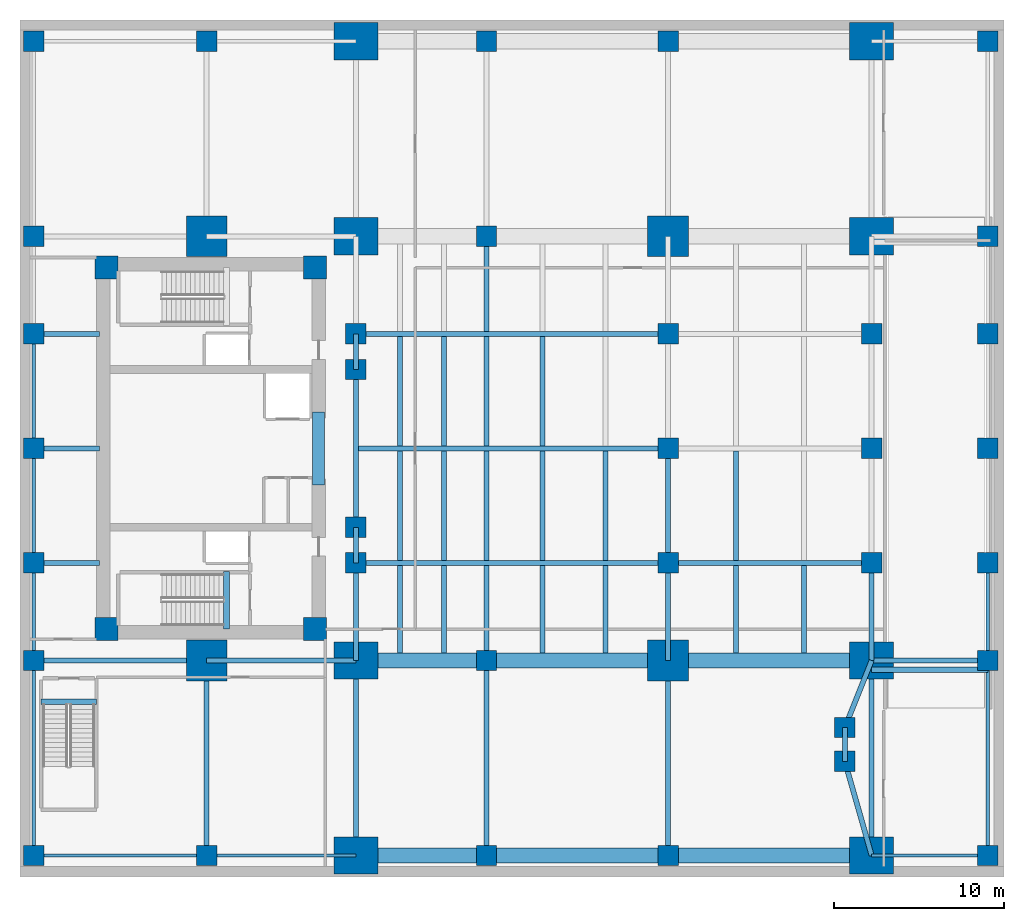
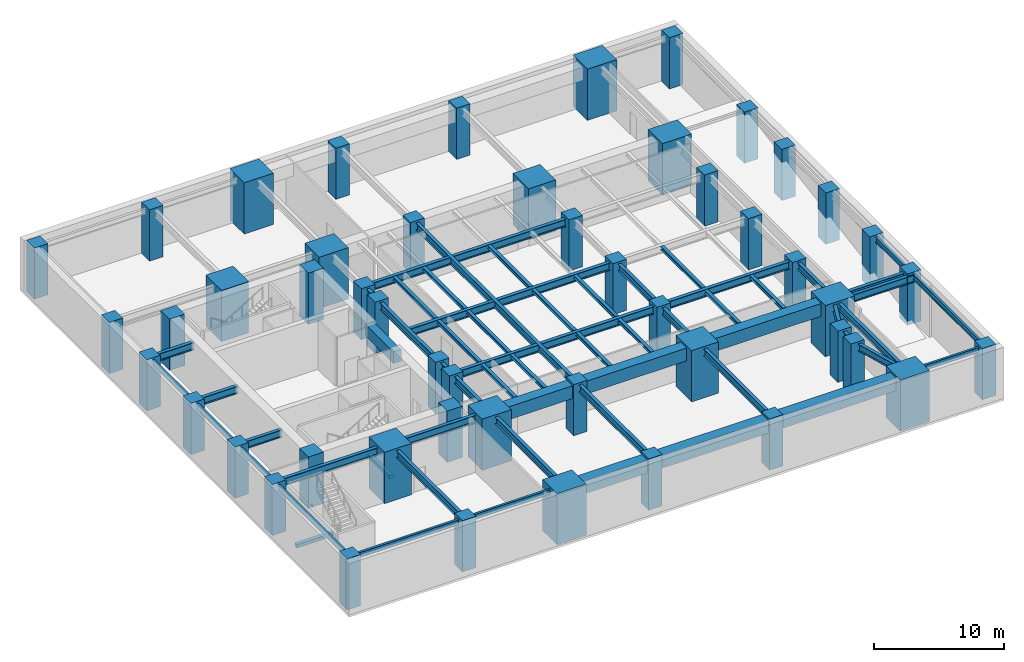
# One storey, part 1 of 5: 59 beams, 50 columns.
"""IFC4 building model written with IfcOpenShell, lengths in metres."""

from ifc_helpers import new_model, si_unit, direction, frame, origin, origin_2d, place, context, subcontext, project, spatial, rectangle, i_section, extrude, material, material_profile, profile_set, type_object, element, save


model = new_model("IFC4")

# Units and contexts
model_context = context("Model", 3, precision=1e-05, world=origin(), true_north=direction((0.0, 1.0)))
body_context = subcontext(model_context, "Body", "Model", "MODEL_VIEW")
ifc_project = project(units=[si_unit("LENGTHUNIT", "METRE"), si_unit("AREAUNIT", "SQUARE_METRE"), si_unit("VOLUMEUNIT", "CUBIC_METRE"), si_unit("PLANEANGLEUNIT", "RADIAN"), si_unit("MASSUNIT", "GRAM", prefix="KILO")], contexts=[model_context])

# Site, building, storey
site_placement = place(None, origin())
site = spatial("IfcSite", under=ifc_project, at=site_placement, CompositionType="ELEMENT")
building_placement = place(site_placement, origin())
building = spatial("IfcBuilding", under=site, at=building_placement, Name="Kinhvarn Gate Tower", CompositionType="ELEMENT")
storey_placement = place(building_placement, frame((0.0, 0.0, -4.800048828125)))
storey = spatial("IfcBuildingStorey", under=building, at=storey_placement, Name="B01", CompositionType="ELEMENT", Elevation=-4.800048828125)

# Columns
ifc_material_1 = material(Name="Concrete C70/85", Category="concrete")
ifc_material_profile_1 = material_profile(ifc_material_1, rectangle(XDim=2.60009765625, YDim=2.199951171875, at=origin_2d()), Name="RC 2600x2200")
ifc_profile_set_1 = profile_set([ifc_material_profile_1], Name="Concrete C70/85")
column_type_1 = type_object("IfcColumnType", Name="COL-AP-2600", PredefinedType="COLUMN", material=ifc_profile_set_1)
for number, where, z_axis, x_axis, name in (
    (1, (19.800048828125, 1.25, 0.0), (0.0, 0.0, 1.0), (1.0, 0.0, 0.0), "Column APW-1-B01 (AP-01)"),
    (2, (50.199951171875, 1.25, 0.0), (0.0, 0.0, 1.0), (1.0, 0.0, 0.0), "Column APE-1-B01 (AP-01)"),
    (3, (19.800048828125, 12.75, 0.0), (0.0, 0.0, 1.0), (1.0, 0.0, 0.0), "Column APW-2-B01 (AP-01)"),
    (4, (50.199951171875, 12.75, 0.0), (0.0, 0.0, 1.0), (1.0, 0.0, 0.0), "Column APE-2-B01 (AP-01)"),
    (5, (19.800048828125, 37.75, 0.0), (0.0, 0.0, 1.0), (1.0, 0.0, 0.0), "Column APW-3-B01 (AP-01)"),
    (6, (50.199951171875, 37.75, 0.0), (0.0, 0.0, 1.0), (1.0, 0.0, 0.0), "Column APE-3-B01 (AP-01)"),
    (7, (19.800048828125, 49.25, 0.0), (0.0, 0.0, 1.0), (1.0, 0.0, 0.0), "Column APW-4-B01 (AP-01)"),
    (8, (50.199951171875, 49.25, 0.0), (0.0, 0.0, 1.0), (1.0, 0.0, 0.0), "Column APE-4-B01 (AP-01)"),
):
    element("IfcColumn", number, at=place(storey_placement, frame(where, z_axis=z_axis, x_axis=x_axis)), inside=storey, type_object=column_type_1, Name=name, PredefinedType="COLUMN", context=body_context, shape_type="SweptSolid", body=[
        extrude(rectangle(XDim=2.60009765625, YDim=2.199951171875, at=origin_2d()), origin(), (0.0, 0.0, 1.0), 4.800048828125),
    ])
ifc_material_profile_2 = material_profile(ifc_material_1, rectangle(XDim=2.39990234375, YDim=2.39990234375, at=origin_2d()), Name="RC 2400x2400")
ifc_profile_set_2 = profile_set([ifc_material_profile_2], Name="Concrete C70/85")
column_type_2 = type_object("IfcColumnType", Name="COL-MC-2400", PredefinedType="COLUMN", material=ifc_profile_set_2)
for number, where, z_axis, x_axis, name in (
    (9, (11.0, 12.75, 0.0), (0.0, 0.0, 1.0), (1.0, 0.0, 0.0), "Column MC1-B01 (MC-24)"),
    (10, (11.0, 37.75, 0.0), (0.0, 0.0, 1.0), (1.0, 0.0, 0.0), "Column MC4-B01 (MC-24)"),
    (11, (38.199951171875, 12.75, 0.0), (0.0, 0.0, 1.0), (1.0, 0.0, 0.0), "Column MC2-B01 (MC-24)"),
    (12, (38.199951171875, 37.75, 0.0), (0.0, 0.0, 1.0), (1.0, 0.0, 0.0), "Column MC3-B01 (MC-24)"),
):
    element("IfcColumn", number, at=place(storey_placement, frame(where, z_axis=z_axis, x_axis=x_axis)), inside=storey, type_object=column_type_2, Name=name, PredefinedType="COLUMN", context=body_context, shape_type="SweptSolid", body=[
        extrude(rectangle(XDim=2.39990234375, YDim=2.39990234375, at=origin_2d()), origin(), (0.0, 0.0, 1.0), 4.800048828125),
    ])
ifc_material_2 = material(Name="Concrete C60/75", Category="concrete")
ifc_material_profile_3 = material_profile(ifc_material_2, rectangle(XDim=1.199951171875, YDim=1.199951171875, at=origin_2d()), Name="RC 1200x1200")
ifc_profile_set_3 = profile_set([ifc_material_profile_3], Name="Concrete C60/75")
column_type_3 = type_object("IfcColumnType", Name="COL-RC-1200", PredefinedType="COLUMN", material=ifc_profile_set_3)
for number, where, z_axis, x_axis, name in (
    (13, (27.5, 12.75, 0.0), (0.0, 0.0, 1.0), (1.0, 0.0, 0.0), "Column SP27-S-B01 (C-120)"),
    (14, (27.5, 37.75, 0.0), (0.0, 0.0, 1.0), (1.0, 0.0, 0.0), "Column SP27-N-B01 (C-120)"),
    (15, (38.199951171875, 18.5, 0.0), (0.0, 0.0, 1.0), (1.0, 0.0, 0.0), "Column SP38-E1-B01 (C-120)"),
    (16, (38.199951171875, 25.25, 0.0), (0.0, 0.0, 1.0), (1.0, 0.0, 0.0), "Column SP38-E2-B01 (C-120)"),
    (17, (38.199951171875, 32.0, 0.0), (0.0, 0.0, 1.0), (1.0, 0.0, 0.0), "Column SP38-E3-B01 (C-120)"),
    (18, (19.800048828125, 18.5, 0.0), (0.0, 0.0, 1.0), (1.0, 0.0, 0.0), "Column APW-M1-B01 (C-120)"),
    (19, (19.800048828125, 20.60009765625, 0.0), (0.0, 0.0, 1.0), (1.0, 0.0, 0.0), "Column APW-M2-B01 (C-120)"),
    (20, (19.800048828125, 29.89990234375, 0.0), (0.0, 0.0, 1.0), (1.0, 0.0, 0.0), "Column APW-M3-B01 (C-120)"),
    (21, (19.800048828125, 32.0, 0.0), (0.0, 0.0, 1.0), (1.0, 0.0, 0.0), "Column APW-M4-B01 (C-120)"),
    (22, (50.199951171875, 18.5, 0.0), (0.0, 0.0, 1.0), (1.0, 0.0, 0.0), "Column APE-M1-B01 (C-120)"),
    (23, (50.199951171875, 25.25, 0.0), (0.0, 0.0, 1.0), (1.0, 0.0, 0.0), "Column APE-M2-B01 (C-120)"),
    (24, (50.199951171875, 32.0, 0.0), (0.0, 0.0, 1.0), (1.0, 0.0, 0.0), "Column APE-M3-B01 (C-120)"),
    (25, (0.800048828125, 1.25, 0.0), (0.0, 0.0, 1.0), (1.0, 0.0, 0.0), "Column PW-1-B01 (C-120)"),
    (26, (57.050048828125, 1.25, 0.0), (0.0, 0.0, 1.0), (1.0, 0.0, 0.0), "Column PE-1-B01 (C-120)"),
    (27, (0.800048828125, 12.75, 0.0), (0.0, 0.0, 1.0), (1.0, 0.0, 0.0), "Column PW-2-B01 (C-120)"),
    (28, (57.050048828125, 12.75, 0.0), (0.0, 0.0, 1.0), (1.0, 0.0, 0.0), "Column PE-2-B01 (C-120)"),
    (29, (0.800048828125, 18.5, 0.0), (0.0, 0.0, 1.0), (1.0, 0.0, 0.0), "Column PW-3-B01 (C-120)"),
    (30, (57.050048828125, 18.5, 0.0), (0.0, 0.0, 1.0), (1.0, 0.0, 0.0), "Column PE-3-B01 (C-120)"),
    (31, (0.800048828125, 25.25, 0.0), (0.0, 0.0, 1.0), (1.0, 0.0, 0.0), "Column PW-4-B01 (C-120)"),
    (32, (57.050048828125, 25.25, 0.0), (0.0, 0.0, 1.0), (1.0, 0.0, 0.0), "Column PE-4-B01 (C-120)"),
    (33, (0.800048828125, 32.0, 0.0), (0.0, 0.0, 1.0), (1.0, 0.0, 0.0), "Column PW-5-B01 (C-120)"),
    (34, (57.050048828125, 32.0, 0.0), (0.0, 0.0, 1.0), (1.0, 0.0, 0.0), "Column PE-5-B01 (C-120)"),
    (35, (0.800048828125, 37.75, 0.0), (0.0, 0.0, 1.0), (1.0, 0.0, 0.0), "Column PW-6-B01 (C-120)"),
    (36, (57.050048828125, 37.75, 0.0), (0.0, 0.0, 1.0), (1.0, 0.0, 0.0), "Column PE-6-B01 (C-120)"),
    (37, (0.800048828125, 49.25, 0.0), (0.0, 0.0, 1.0), (1.0, 0.0, 0.0), "Column PW-7-B01 (C-120)"),
    (38, (57.050048828125, 49.25, 0.0), (0.0, 0.0, 1.0), (1.0, 0.0, 0.0), "Column PE-7-B01 (C-120)"),
    (39, (11.0, 1.25, 0.0), (0.0, 0.0, 1.0), (1.0, 0.0, 0.0), "Column P11-S-B01 (C-120)"),
    (40, (11.0, 49.25, 0.0), (0.0, 0.0, 1.0), (1.0, 0.0, 0.0), "Column P11-N-B01 (C-120)"),
    (41, (48.6201171875, 6.800048828125, 0.0), (0.0, 0.0, 1.0), (1.0, 0.0, 0.0), "Column CS-SE1-B01 (C-120)"),
    (42, (48.6201171875, 8.800048828125, 0.0), (0.0, 0.0, 1.0), (1.0, 0.0, 0.0), "Column CS-SE1B-B01 (C-120)"),
    (43, (27.5, 1.25, 0.0), (0.0, 0.0, 1.0), (1.0, 0.0, 0.0), "Column B27-S-B01 (C-120)"),
    (44, (38.199951171875, 1.25, 0.0), (0.0, 0.0, 1.0), (1.0, 0.0, 0.0), "Column B38-S-B01 (C-120)"),
    (45, (27.5, 49.25, 0.0), (0.0, 0.0, 1.0), (1.0, 0.0, 0.0), "Column B27-N-B01 (C-120)"),
    (46, (38.199951171875, 49.25, 0.0), (0.0, 0.0, 1.0), (1.0, 0.0, 0.0), "Column B38-N-B01 (C-120)"),
):
    element("IfcColumn", number, at=place(storey_placement, frame(where, z_axis=z_axis, x_axis=x_axis)), inside=storey, type_object=column_type_3, Name=name, PredefinedType="COLUMN", context=body_context, shape_type="SweptSolid", body=[
        extrude(rectangle(XDim=1.199951171875, YDim=1.199951171875, at=origin_2d()), origin(), (0.0, 0.0, 1.0), 4.800048828125),
    ])
ifc_material_profile_4 = material_profile(ifc_material_1, rectangle(XDim=1.35009765625, YDim=1.35009765625, at=origin_2d()), Name="RC 1350x1350")
ifc_profile_set_4 = profile_set([ifc_material_profile_4], Name="Concrete C70/85")
column_type_4 = type_object("IfcColumnType", Name="PIL-RC-1350", PredefinedType="PILASTER", material=ifc_profile_set_4)
for number, where, z_axis, x_axis, name in (
    (47, (5.10009765625, 14.60009765625, 0.0), (0.0, 0.0, 1.0), (1.0, 0.0, 0.0), "Column CC-SW-B01 (CP-135)"),
    (48, (5.10009765625, 35.89990234375, 0.0), (0.0, 0.0, 1.0), (1.0, 0.0, 0.0), "Column CC-NW-B01 (CP-135)"),
    (49, (17.39990234375, 14.60009765625, 0.0), (0.0, 0.0, 1.0), (1.0, 0.0, 0.0), "Column CC-SE-B01 (CP-135)"),
    (50, (17.39990234375, 35.89990234375, 0.0), (0.0, 0.0, 1.0), (1.0, 0.0, 0.0), "Column CC-NE-B01 (CP-135)"),
):
    element("IfcColumn", number, at=place(storey_placement, frame(where, z_axis=z_axis, x_axis=x_axis)), inside=storey, type_object=column_type_4, Name=name, PredefinedType="PILASTER", context=body_context, shape_type="SweptSolid", body=[
        extrude(rectangle(XDim=1.35009765625, YDim=1.35009765625, at=origin_2d()), origin(), (0.0, 0.0, 1.0), 4.800048828125),
    ])

# Beams
ifc_material_profile_5 = material_profile(ifc_material_1, rectangle(XDim=0.699951171875, YDim=1.10009765625, at=origin_2d()), Name="RC 700x1100")
ifc_profile_set_5 = profile_set([ifc_material_profile_5], Name="Concrete C70/85")
beam_type_1 = type_object("IfcBeamType", Name="BM-CB-1100", PredefinedType="LINTEL", material=ifc_profile_set_5)
beam_1_placement = place(storey_placement, frame((17.60009765625, 23.10009765625, 4.050048828125), z_axis=(0.0, 1.0, 0.0), x_axis=(-1.0, 0.0, 0.0)))
element("IfcBeam", 51, at=beam_1_placement, inside=storey, type_object=beam_type_1, Name="Core East Portal Coupling Beam B01", PredefinedType="LINTEL", context=body_context, shape_type="SweptSolid", body=[
    extrude(rectangle(XDim=0.699951171875, YDim=1.10009765625, at=origin_2d()), origin(), (0.0, 0.0, 1.0), 4.2998046875),
])
ifc_material_3 = material(Name="Concrete C50/60", Category="concrete")
ifc_material_profile_6 = material_profile(ifc_material_3, rectangle(XDim=0.340087890625, YDim=0.320068359375, at=origin_2d()), Name="RC 340x320")
ifc_profile_set_6 = profile_set([ifc_material_profile_6], Name="Concrete C50/60")
beam_type_2 = type_object("IfcBeamType", Name="BM-LND-500", PredefinedType="BEAM", material=ifc_profile_set_6)
beam_2_placement = place(storey_placement, frame((12.1650390625, 14.60009765625, -0.159912109375), z_axis=(0.0, 1.0, 0.0), x_axis=(-1.0, 0.0, 0.0)))
element("IfcBeam", 52, at=beam_2_placement, inside=storey, type_object=beam_type_2, Name="Stair ST1 Landing Nosing Beam (B01)", PredefinedType="BEAM", context=body_context, shape_type="SweptSolid", body=[
    extrude(rectangle(XDim=0.340087890625, YDim=0.320068359375, at=origin_2d()), origin(), (0.0, 0.0, 1.0), 3.39990234375),
])
beam_3_placement = place(storey_placement, frame((1.25, 10.31494140625, -0.159912109375), z_axis=(1.0, 0.0, 0.0), x_axis=(0.0, 1.0, 0.0)))
element("IfcBeam", 53, at=beam_3_placement, inside=storey, type_object=beam_type_2, Name="Stair ST3 Landing Nosing Beam (B01)", PredefinedType="BEAM", context=body_context, shape_type="SweptSolid", body=[
    extrude(rectangle(XDim=0.340087890625, YDim=0.320068359375, at=origin_2d()), origin(), (0.0, 0.0, 1.0), 3.25),
])
ifc_material_profile_7 = material_profile(ifc_material_2, rectangle(XDim=0.89990234375, YDim=1.199951171875, at=origin_2d()), Name="RC 900x1200")
ifc_profile_set_7 = profile_set([ifc_material_profile_7], Name="Concrete C60/75")
beam_type_3 = type_object("IfcBeamType", Name="BM-TIE-1200", PredefinedType="BEAM", material=ifc_profile_set_7)
beam_4_placement = place(storey_placement, frame((20.199951171875, 1.25, 4.0), z_axis=(1.0, 0.0, 0.0), x_axis=(0.0, 1.0, 0.0)))
element("IfcBeam", 54, at=beam_4_placement, inside=storey, type_object=beam_type_3, Name="Arch Thrust Tie-Beam TB-01-1-1", PredefinedType="BEAM", context=body_context, shape_type="SweptSolid", body=[
    extrude(rectangle(XDim=0.89990234375, YDim=1.199951171875, at=origin_2d()), origin(), (0.0, 0.0, 1.0), 7.300048828125),
])
beam_5_placement = place(storey_placement, frame((27.5, 1.25, 4.0), z_axis=(1.0, 0.0, 0.0), x_axis=(0.0, 1.0, 0.0)))
element("IfcBeam", 55, at=beam_5_placement, inside=storey, type_object=beam_type_3, Name="Arch Thrust Tie-Beam TB-01-1-2", PredefinedType="BEAM", context=body_context, shape_type="SweptSolid", body=[
    extrude(rectangle(XDim=0.89990234375, YDim=1.199951171875, at=origin_2d()), origin(), (0.0, 0.0, 1.0), 10.699951171875),
])
beam_6_placement = place(storey_placement, frame((38.199951171875, 1.25, 4.0), z_axis=(1.0, 0.0, 0.0), x_axis=(0.0, 1.0, 0.0)))
element("IfcBeam", 56, at=beam_6_placement, inside=storey, type_object=beam_type_3, Name="Arch Thrust Tie-Beam TB-01-1-3", PredefinedType="BEAM", context=body_context, shape_type="SweptSolid", body=[
    extrude(rectangle(XDim=0.89990234375, YDim=1.199951171875, at=origin_2d()), origin(), (0.0, 0.0, 1.0), 11.60009765625),
])
beam_7_placement = place(storey_placement, frame((20.199951171875, 12.75, 4.0), z_axis=(1.0, 0.0, 0.0), x_axis=(0.0, 1.0, 0.0)))
element("IfcBeam", 57, at=beam_7_placement, inside=storey, type_object=beam_type_3, Name="Arch Thrust Tie-Beam TB-01-2-1", PredefinedType="BEAM", context=body_context, shape_type="SweptSolid", body=[
    extrude(rectangle(XDim=0.89990234375, YDim=1.199951171875, at=origin_2d()), origin(), (0.0, 0.0, 1.0), 7.300048828125),
])
beam_8_placement = place(storey_placement, frame((27.5, 12.75, 4.0), z_axis=(1.0, 0.0, 0.0), x_axis=(0.0, 1.0, 0.0)))
element("IfcBeam", 58, at=beam_8_placement, inside=storey, type_object=beam_type_3, Name="Arch Thrust Tie-Beam TB-01-2-2", PredefinedType="BEAM", context=body_context, shape_type="SweptSolid", body=[
    extrude(rectangle(XDim=0.89990234375, YDim=1.199951171875, at=origin_2d()), origin(), (0.0, 0.0, 1.0), 10.699951171875),
])
beam_9_placement = place(storey_placement, frame((38.199951171875, 12.75, 4.0), z_axis=(1.0, 0.0, 0.0), x_axis=(0.0, 1.0, 0.0)))
element("IfcBeam", 59, at=beam_9_placement, inside=storey, type_object=beam_type_3, Name="Arch Thrust Tie-Beam TB-01-2-3", PredefinedType="BEAM", context=body_context, shape_type="SweptSolid", body=[
    extrude(rectangle(XDim=0.89990234375, YDim=1.199951171875, at=origin_2d()), origin(), (0.0, 0.0, 1.0), 11.60009765625),
])
ifc_material_4 = material(Name="Steel S355", Category="steel")
ifc_material_profile_8 = material_profile(ifc_material_4, i_section(OverallWidth=0.300048828125, OverallDepth=0.300048828125, WebThickness=0.010986328125, FlangeThickness=0.01904296875, at=origin_2d()), Name="HEB 300")
ifc_profile_set_8 = profile_set([ifc_material_profile_8], Name="Steel S355")
beam_type_4 = type_object("IfcBeamType", Name="STL-HEB300", PredefinedType="BEAM", material=ifc_profile_set_8)
for number, where, z_axis, x_axis, name in (
    (60, (22.39990234375, 13.199951171875, 4.449951171875), (0.0, 1.0, 0.0), (-1.0, 0.0, 0.0), "Floor Beam PG-10 (B01 J224-12)"),
    (61, (25.0, 13.199951171875, 4.449951171875), (0.0, 1.0, 0.0), (-1.0, 0.0, 0.0), "Floor Beam PG-10 (B01 J250-12)"),
    (62, (30.800048828125, 13.199951171875, 4.449951171875), (0.0, 1.0, 0.0), (-1.0, 0.0, 0.0), "Floor Beam PG-10 (B01 J308-12)"),
    (63, (34.5, 13.199951171875, 4.449951171875), (0.0, 1.0, 0.0), (-1.0, 0.0, 0.0), "Floor Beam PG-10 (B01 J345-12)"),
    (64, (42.199951171875, 13.199951171875, 4.449951171875), (0.0, 1.0, 0.0), (-1.0, 0.0, 0.0), "Floor Beam PG-10 (B01 J422-12)"),
    (65, (46.199951171875, 13.199951171875, 4.449951171875), (0.0, 1.0, 0.0), (-1.0, 0.0, 0.0), "Floor Beam PG-10 (B01 J462-12)"),
):
    element("IfcBeam", number, at=place(storey_placement, frame(where, z_axis=z_axis, x_axis=x_axis)), inside=storey, type_object=beam_type_4, Name=name, PredefinedType="BEAM", context=body_context, shape_type="SweptSolid", body=[
        extrude(i_section(OverallWidth=0.300048828125, OverallDepth=0.300048828125, WebThickness=0.010986328125, FlangeThickness=0.01904296875, at=origin_2d()), origin(), (0.0, 0.0, 1.0), 5.150146484375),
    ])
for number, where, z_axis, x_axis, name in (
    (66, (22.39990234375, 18.64990234375, 4.449951171875), (0.0, 1.0, 0.0), (-1.0, 0.0, 0.0), "Floor Beam PG-10 (B01 J224-18)"),
    (67, (25.0, 18.64990234375, 4.449951171875), (0.0, 1.0, 0.0), (-1.0, 0.0, 0.0), "Floor Beam PG-10 (B01 J250-18)"),
    (68, (30.800048828125, 18.64990234375, 4.449951171875), (0.0, 1.0, 0.0), (-1.0, 0.0, 0.0), "Floor Beam PG-10 (B01 J308-18)"),
    (69, (34.5, 18.64990234375, 4.449951171875), (0.0, 1.0, 0.0), (-1.0, 0.0, 0.0), "Floor Beam PG-10 (B01 J345-18)"),
    (70, (42.199951171875, 18.64990234375, 4.449951171875), (0.0, 1.0, 0.0), (-1.0, 0.0, 0.0), "Floor Beam PG-10 (B01 J422-18)"),
    (71, (22.39990234375, 25.39990234375, 4.449951171875), (0.0, 1.0, 0.0), (-1.0, 0.0, 0.0), "Floor Beam PG-10 (B01 J224-25)"),
    (72, (25.0, 25.39990234375, 4.449951171875), (0.0, 1.0, 0.0), (-1.0, 0.0, 0.0), "Floor Beam PG-10 (B01 J250-25)"),
    (73, (30.800048828125, 25.39990234375, 4.449951171875), (0.0, 1.0, 0.0), (-1.0, 0.0, 0.0), "Floor Beam PG-10 (B01 J308-25)"),
):
    element("IfcBeam", number, at=place(storey_placement, frame(where, z_axis=z_axis, x_axis=x_axis)), inside=storey, type_object=beam_type_4, Name=name, PredefinedType="BEAM", context=body_context, shape_type="SweptSolid", body=[
        extrude(i_section(OverallWidth=0.300048828125, OverallDepth=0.300048828125, WebThickness=0.010986328125, FlangeThickness=0.01904296875, at=origin_2d()), origin(), (0.0, 0.0, 1.0), 6.4501953125),
    ])
ifc_material_profile_9 = material_profile(ifc_material_4, i_section(OverallWidth=0.300048828125, OverallDepth=0.64990234375, WebThickness=0.01611328125, FlangeThickness=0.031005859375, at=origin_2d()), Name="HEB 650")
ifc_profile_set_9 = profile_set([ifc_material_profile_9], Name="Steel S355")
beam_type_5 = type_object("IfcBeamType", Name="STL-HEB650", PredefinedType="BEAM", material=ifc_profile_set_9)
beam_10_placement = place(storey_placement, frame((48.6201171875, 6.800048828125, 4.275146484375), z_axis=(0.273776643474, -0.961793298733, 0.0), x_axis=(0.961793298733, 0.273776643474, 0.0)))
element("IfcBeam", 74, at=beam_10_placement, inside=storey, type_object=beam_type_5, Name="Floor Beam PG-17 (B01 TIE-SE1-AP)", PredefinedType="BEAM", context=body_context, shape_type="SweptSolid", body=[
    extrude(i_section(OverallWidth=0.300048828125, OverallDepth=0.64990234375, WebThickness=0.01611328125, FlangeThickness=0.031005859375, at=origin_2d()), origin(), (0.0, 0.0, 1.0), 5.7705078125),
])
beam_11_placement = place(storey_placement, frame((48.6201171875, 6.800048828125, 4.275146484375), z_axis=(0.0, 1.0, 0.0), x_axis=(-1.0, 0.0, 0.0)))
element("IfcBeam", 75, at=beam_11_placement, inside=storey, type_object=beam_type_5, Name="Floor Beam PG-17 (B01 TIE-SE1-M)", PredefinedType="BEAM", context=body_context, shape_type="SweptSolid", body=[
    extrude(i_section(OverallWidth=0.300048828125, OverallDepth=0.64990234375, WebThickness=0.01611328125, FlangeThickness=0.031005859375, at=origin_2d()), origin(), (0.0, 0.0, 1.0), 2.0),
])
beam_12_placement = place(storey_placement, frame((48.6201171875, 8.800048828125, 4.275146484375), z_axis=(0.371360992457, 0.928488563894, 0.0), x_axis=(-0.928488563894, 0.371360992457, 0.0)))
element("IfcBeam", 76, at=beam_12_placement, inside=storey, type_object=beam_type_5, Name="Floor Beam PG-17 (B01 TIE-SE1-N)", PredefinedType="BEAM", context=body_context, shape_type="SweptSolid", body=[
    extrude(i_section(OverallWidth=0.300048828125, OverallDepth=0.64990234375, WebThickness=0.01611328125, FlangeThickness=0.031005859375, at=origin_2d()), origin(), (0.0, 0.0, 1.0), 4.254150390625),
])
for number, where, z_axis, x_axis, name in (
    (77, (11.0, 1.25, 4.275146484375), (0.0, 1.0, 0.0), (-1.0, 0.0, 0.0), "Floor Beam PG-17 (B01 NS11-S)"),
    (78, (19.800048828125, 1.25, 4.275146484375), (0.0, 1.0, 0.0), (-1.0, 0.0, 0.0), "Floor Beam PG-17 (B01 APW-1)"),
):
    element("IfcBeam", number, at=place(storey_placement, frame(where, z_axis=z_axis, x_axis=x_axis)), inside=storey, type_object=beam_type_5, Name=name, PredefinedType="BEAM", context=body_context, shape_type="SweptSolid", body=[
        extrude(i_section(OverallWidth=0.300048828125, OverallDepth=0.64990234375, WebThickness=0.01611328125, FlangeThickness=0.031005859375, at=origin_2d()), origin(), (0.0, 0.0, 1.0), 11.5),
    ])
beam_13_placement = place(storey_placement, frame((19.800048828125, 12.75, 4.275146484375), z_axis=(0.0, 1.0, 0.0), x_axis=(-1.0, 0.0, 0.0)))
element("IfcBeam", 79, at=beam_13_placement, inside=storey, type_object=beam_type_5, Name="Floor Beam PG-17 (B01 APW-2)", PredefinedType="BEAM", context=body_context, shape_type="SweptSolid", body=[
    extrude(i_section(OverallWidth=0.300048828125, OverallDepth=0.64990234375, WebThickness=0.01611328125, FlangeThickness=0.031005859375, at=origin_2d()), origin(), (0.0, 0.0, 1.0), 5.75),
])
beam_14_placement = place(storey_placement, frame((19.800048828125, 18.5, 4.275146484375), z_axis=(0.0, 1.0, 0.0), x_axis=(-1.0, 0.0, 0.0)))
element("IfcBeam", 80, at=beam_14_placement, inside=storey, type_object=beam_type_5, Name="Floor Beam PG-17 (B01 APW-3)", PredefinedType="BEAM", context=body_context, shape_type="SweptSolid", body=[
    extrude(i_section(OverallWidth=0.300048828125, OverallDepth=0.64990234375, WebThickness=0.01611328125, FlangeThickness=0.031005859375, at=origin_2d()), origin(), (0.0, 0.0, 1.0), 2.10009765625),
])
beam_15_placement = place(storey_placement, frame((19.800048828125, 20.60009765625, 4.275146484375), z_axis=(0.0, 1.0, 0.0), x_axis=(-1.0, 0.0, 0.0)))
element("IfcBeam", 81, at=beam_15_placement, inside=storey, type_object=beam_type_5, Name="Floor Beam PG-17 (B01 APW-4)", PredefinedType="BEAM", context=body_context, shape_type="SweptSolid", body=[
    extrude(i_section(OverallWidth=0.300048828125, OverallDepth=0.64990234375, WebThickness=0.01611328125, FlangeThickness=0.031005859375, at=origin_2d()), origin(), (0.0, 0.0, 1.0), 9.2998046875),
])
beam_16_placement = place(storey_placement, frame((19.800048828125, 29.89990234375, 4.275146484375), z_axis=(0.0, 1.0, 0.0), x_axis=(-1.0, 0.0, 0.0)))
element("IfcBeam", 82, at=beam_16_placement, inside=storey, type_object=beam_type_5, Name="Floor Beam PG-17 (B01 APW-5)", PredefinedType="BEAM", context=body_context, shape_type="SweptSolid", body=[
    extrude(i_section(OverallWidth=0.300048828125, OverallDepth=0.64990234375, WebThickness=0.01611328125, FlangeThickness=0.031005859375, at=origin_2d()), origin(), (0.0, 0.0, 1.0), 2.10009765625),
])
beam_17_placement = place(storey_placement, frame((50.199951171875, 1.25, 4.275146484375), z_axis=(0.0, 1.0, 0.0), x_axis=(-1.0, 0.0, 0.0)))
element("IfcBeam", 83, at=beam_17_placement, inside=storey, type_object=beam_type_5, Name="Floor Beam PG-17 (B01 APE-1)", PredefinedType="BEAM", context=body_context, shape_type="SweptSolid", body=[
    extrude(i_section(OverallWidth=0.300048828125, OverallDepth=0.64990234375, WebThickness=0.01611328125, FlangeThickness=0.031005859375, at=origin_2d()), origin(), (0.0, 0.0, 1.0), 11.5),
])
beam_18_placement = place(storey_placement, frame((50.199951171875, 12.75, 4.275146484375), z_axis=(0.0, 1.0, 0.0), x_axis=(-1.0, 0.0, 0.0)))
element("IfcBeam", 84, at=beam_18_placement, inside=storey, type_object=beam_type_5, Name="Floor Beam PG-17 (B01 APE-2)", PredefinedType="BEAM", context=body_context, shape_type="SweptSolid", body=[
    extrude(i_section(OverallWidth=0.300048828125, OverallDepth=0.64990234375, WebThickness=0.01611328125, FlangeThickness=0.031005859375, at=origin_2d()), origin(), (0.0, 0.0, 1.0), 5.75),
])
for number, where, z_axis, x_axis, name in (
    (85, (27.5, 1.25, 4.275146484375), (0.0, 1.0, 0.0), (-1.0, 0.0, 0.0), "Floor Beam PG-17 (B01 NS27-S)"),
    (86, (38.199951171875, 1.25, 4.275146484375), (0.0, 1.0, 0.0), (-1.0, 0.0, 0.0), "Floor Beam PG-17 (B01 NS38-S)"),
):
    element("IfcBeam", number, at=place(storey_placement, frame(where, z_axis=z_axis, x_axis=x_axis)), inside=storey, type_object=beam_type_5, Name=name, PredefinedType="BEAM", context=body_context, shape_type="SweptSolid", body=[
        extrude(i_section(OverallWidth=0.300048828125, OverallDepth=0.64990234375, WebThickness=0.01611328125, FlangeThickness=0.031005859375, at=origin_2d()), origin(), (0.0, 0.0, 1.0), 11.5),
    ])
beam_19_placement = place(storey_placement, frame((27.5, 12.75, 4.275146484375), z_axis=(0.0, 1.0, 0.0), x_axis=(-1.0, 0.0, 0.0)))
element("IfcBeam", 87, at=beam_19_placement, inside=storey, type_object=beam_type_5, Name="Floor Beam PG-17 (B01 NS27-M)", PredefinedType="BEAM", context=body_context, shape_type="SweptSolid", body=[
    extrude(i_section(OverallWidth=0.300048828125, OverallDepth=0.64990234375, WebThickness=0.01611328125, FlangeThickness=0.031005859375, at=origin_2d()), origin(), (0.0, 0.0, 1.0), 25.0),
])
beam_20_placement = place(storey_placement, frame((38.199951171875, 12.75, 4.275146484375), z_axis=(0.0, 1.0, 0.0), x_axis=(-1.0, 0.0, 0.0)))
element("IfcBeam", 88, at=beam_20_placement, inside=storey, type_object=beam_type_5, Name="Floor Beam PG-17 (B01 NS38-12)", PredefinedType="BEAM", context=body_context, shape_type="SweptSolid", body=[
    extrude(i_section(OverallWidth=0.300048828125, OverallDepth=0.64990234375, WebThickness=0.01611328125, FlangeThickness=0.031005859375, at=origin_2d()), origin(), (0.0, 0.0, 1.0), 5.75),
])
beam_21_placement = place(storey_placement, frame((38.199951171875, 18.5, 4.275146484375), z_axis=(0.0, 1.0, 0.0), x_axis=(-1.0, 0.0, 0.0)))
element("IfcBeam", 89, at=beam_21_placement, inside=storey, type_object=beam_type_5, Name="Floor Beam PG-17 (B01 NS38-18)", PredefinedType="BEAM", context=body_context, shape_type="SweptSolid", body=[
    extrude(i_section(OverallWidth=0.300048828125, OverallDepth=0.64990234375, WebThickness=0.01611328125, FlangeThickness=0.031005859375, at=origin_2d()), origin(), (0.0, 0.0, 1.0), 6.75),
])
ifc_material_profile_10 = material_profile(ifc_material_4, i_section(OverallWidth=0.300048828125, OverallDepth=0.699951171875, WebThickness=0.01708984375, FlangeThickness=0.031982421875, at=origin_2d()), Name="HEB 700")
ifc_profile_set_10 = profile_set([ifc_material_profile_10], Name="Steel S355")
beam_type_6 = type_object("IfcBeamType", Name="STL-HEB700", PredefinedType="BEAM", material=ifc_profile_set_10)
beam_22_placement = place(storey_placement, frame((0.800048828125, 12.75, 4.25), z_axis=(1.0, 0.0, 0.0), x_axis=(0.0, 1.0, 0.0)))
element("IfcBeam", 90, at=beam_22_placement, inside=storey, type_object=beam_type_6, Name="Floor Beam PG-18 (B01 SPS-1)", PredefinedType="BEAM", context=body_context, shape_type="SweptSolid", body=[
    extrude(i_section(OverallWidth=0.300048828125, OverallDepth=0.699951171875, WebThickness=0.01708984375, FlangeThickness=0.031982421875, at=origin_2d()), origin(), (0.0, 0.0, 1.0), 10.199951171875),
])
beam_23_placement = place(storey_placement, frame((11.0, 12.75, 4.25), z_axis=(1.0, 0.0, 0.0), x_axis=(0.0, 1.0, 0.0)))
element("IfcBeam", 91, at=beam_23_placement, inside=storey, type_object=beam_type_6, Name="Floor Beam PG-18 (B01 SPS-2)", PredefinedType="BEAM", context=body_context, shape_type="SweptSolid", body=[
    extrude(i_section(OverallWidth=0.300048828125, OverallDepth=0.699951171875, WebThickness=0.01708984375, FlangeThickness=0.031982421875, at=origin_2d()), origin(), (0.0, 0.0, 1.0), 8.800048828125),
])
beam_24_placement = place(storey_placement, frame((50.199951171875, 12.75, 4.25), z_axis=(1.0, 0.0, 0.0), x_axis=(0.0, 1.0, 0.0)))
element("IfcBeam", 92, at=beam_24_placement, inside=storey, type_object=beam_type_6, Name="Floor Beam PG-18 (B01 SPS-E)", PredefinedType="BEAM", context=body_context, shape_type="SweptSolid", body=[
    extrude(i_section(OverallWidth=0.300048828125, OverallDepth=0.699951171875, WebThickness=0.01708984375, FlangeThickness=0.031982421875, at=origin_2d()), origin(), (0.0, 0.0, 1.0), 6.85009765625),
])
for number, where, z_axis, x_axis, name in (
    (93, (0.800048828125, 18.5, 4.25), (1.0, 0.0, 0.0), (0.0, 1.0, 0.0), "Floor Beam PG-18 (B01 W-MID-18)"),
    (94, (0.800048828125, 25.25, 4.25), (1.0, 0.0, 0.0), (0.0, 1.0, 0.0), "Floor Beam PG-18 (B01 W-MID-25)"),
    (95, (0.800048828125, 32.0, 4.25), (1.0, 0.0, 0.0), (0.0, 1.0, 0.0), "Floor Beam PG-18 (B01 W-MID-32)"),
):
    element("IfcBeam", number, at=place(storey_placement, frame(where, z_axis=z_axis, x_axis=x_axis)), inside=storey, type_object=beam_type_6, Name=name, PredefinedType="BEAM", context=body_context, shape_type="SweptSolid", body=[
        extrude(i_section(OverallWidth=0.300048828125, OverallDepth=0.699951171875, WebThickness=0.01708984375, FlangeThickness=0.031982421875, at=origin_2d()), origin(), (0.0, 0.0, 1.0), 3.89990234375),
    ])
beam_25_placement = place(storey_placement, frame((50.199951171875, 12.199951171875, 4.25), z_axis=(1.0, 0.0, 0.0), x_axis=(0.0, 1.0, 0.0)))
element("IfcBeam", 96, at=beam_25_placement, inside=storey, type_object=beam_type_6, Name="Floor Beam PG-18 (B01 RMP-TRM-1)", PredefinedType="BEAM", context=body_context, shape_type="SweptSolid", body=[
    extrude(i_section(OverallWidth=0.300048828125, OverallDepth=0.699951171875, WebThickness=0.01708984375, FlangeThickness=0.031982421875, at=origin_2d()), origin(), (0.0, 0.0, 1.0), 6.85009765625),
])
beam_26_placement = place(storey_placement, frame((19.800048828125, 18.5, 4.25), z_axis=(1.0, 0.0, 0.0), x_axis=(0.0, 1.0, 0.0)))
element("IfcBeam", 97, at=beam_26_placement, inside=storey, type_object=beam_type_6, Name="Floor Beam PG-18 (B01 BM-EW1-18)", PredefinedType="BEAM", context=body_context, shape_type="SweptSolid", body=[
    extrude(i_section(OverallWidth=0.300048828125, OverallDepth=0.699951171875, WebThickness=0.01708984375, FlangeThickness=0.031982421875, at=origin_2d()), origin(), (0.0, 0.0, 1.0), 18.39990234375),
])
beam_27_placement = place(storey_placement, frame((38.199951171875, 18.5, 4.25), z_axis=(1.0, 0.0, 0.0), x_axis=(0.0, 1.0, 0.0)))
element("IfcBeam", 98, at=beam_27_placement, inside=storey, type_object=beam_type_6, Name="Floor Beam PG-18 (B01 BM-EW2-18)", PredefinedType="BEAM", context=body_context, shape_type="SweptSolid", body=[
    extrude(i_section(OverallWidth=0.300048828125, OverallDepth=0.699951171875, WebThickness=0.01708984375, FlangeThickness=0.031982421875, at=origin_2d()), origin(), (0.0, 0.0, 1.0), 12.0),
])
for number, where, z_axis, x_axis, name in (
    (99, (19.800048828125, 25.25, 4.25), (1.0, 0.0, 0.0), (0.0, 1.0, 0.0), "Floor Beam PG-18 (B01 BM-EW1-25)"),
    (100, (19.800048828125, 32.0, 4.25), (1.0, 0.0, 0.0), (0.0, 1.0, 0.0), "Floor Beam PG-18 (B01 BM-EW1-32)"),
):
    element("IfcBeam", number, at=place(storey_placement, frame(where, z_axis=z_axis, x_axis=x_axis)), inside=storey, type_object=beam_type_6, Name=name, PredefinedType="BEAM", context=body_context, shape_type="SweptSolid", body=[
        extrude(i_section(OverallWidth=0.300048828125, OverallDepth=0.699951171875, WebThickness=0.01708984375, FlangeThickness=0.031982421875, at=origin_2d()), origin(), (0.0, 0.0, 1.0), 18.39990234375),
    ])
ifc_material_profile_11 = material_profile(ifc_material_4, i_section(OverallWidth=0.199951171875, OverallDepth=0.5, WebThickness=0.01025390625, FlangeThickness=0.01611328125, at=origin_2d()), Name="IPE 500")
ifc_profile_set_11 = profile_set([ifc_material_profile_11], Name="Steel S355")
beam_type_7 = type_object("IfcBeamType", Name="STL-IPE500", PredefinedType="SPANDREL", material=ifc_profile_set_11)
for number, where, z_axis, x_axis, name in (
    (101, (0.800048828125, 1.25, 4.35009765625), (0.0, 1.0, 0.0), (-1.0, 0.0, 0.0), "Floor Spandrel SB-07 (B01 PERW-1)"),
    (102, (57.050048828125, 1.25, 4.35009765625), (0.0, 1.0, 0.0), (-1.0, 0.0, 0.0), "Floor Spandrel SB-07 (B01 PERE-1)"),
):
    element("IfcBeam", number, at=place(storey_placement, frame(where, z_axis=z_axis, x_axis=x_axis)), inside=storey, type_object=beam_type_7, Name=name, PredefinedType="SPANDREL", context=body_context, shape_type="SweptSolid", body=[
        extrude(i_section(OverallWidth=0.199951171875, OverallDepth=0.5, WebThickness=0.01025390625, FlangeThickness=0.01611328125, at=origin_2d()), origin(), (0.0, 0.0, 1.0), 11.5),
    ])
for number, where, z_axis, x_axis, name in (
    (103, (0.800048828125, 12.75, 4.35009765625), (0.0, 1.0, 0.0), (-1.0, 0.0, 0.0), "Floor Spandrel SB-07 (B01 PERW-2)"),
    (104, (57.050048828125, 12.75, 4.35009765625), (0.0, 1.0, 0.0), (-1.0, 0.0, 0.0), "Floor Spandrel SB-07 (B01 PERE-2)"),
):
    element("IfcBeam", number, at=place(storey_placement, frame(where, z_axis=z_axis, x_axis=x_axis)), inside=storey, type_object=beam_type_7, Name=name, PredefinedType="SPANDREL", context=body_context, shape_type="SweptSolid", body=[
        extrude(i_section(OverallWidth=0.199951171875, OverallDepth=0.5, WebThickness=0.01025390625, FlangeThickness=0.01611328125, at=origin_2d()), origin(), (0.0, 0.0, 1.0), 5.75),
    ])
for number, where, z_axis, x_axis, name in (
    (105, (0.800048828125, 18.5, 4.35009765625), (0.0, 1.0, 0.0), (-1.0, 0.0, 0.0), "Floor Spandrel SB-07 (B01 PERW-3)"),
    (106, (0.800048828125, 25.25, 4.35009765625), (0.0, 1.0, 0.0), (-1.0, 0.0, 0.0), "Floor Spandrel SB-07 (B01 PERW-4)"),
):
    element("IfcBeam", number, at=place(storey_placement, frame(where, z_axis=z_axis, x_axis=x_axis)), inside=storey, type_object=beam_type_7, Name=name, PredefinedType="SPANDREL", context=body_context, shape_type="SweptSolid", body=[
        extrude(i_section(OverallWidth=0.199951171875, OverallDepth=0.5, WebThickness=0.01025390625, FlangeThickness=0.01611328125, at=origin_2d()), origin(), (0.0, 0.0, 1.0), 6.75),
    ])
beam_28_placement = place(storey_placement, frame((0.800048828125, 1.25, 4.35009765625), z_axis=(1.0, 0.0, 0.0), x_axis=(0.0, 1.0, 0.0)))
element("IfcBeam", 107, at=beam_28_placement, inside=storey, type_object=beam_type_7, Name="Floor Spandrel SB-07 (B01 SP-POD-SW1)", PredefinedType="SPANDREL", context=body_context, shape_type="SweptSolid", body=[
    extrude(i_section(OverallWidth=0.199951171875, OverallDepth=0.5, WebThickness=0.01025390625, FlangeThickness=0.01611328125, at=origin_2d()), origin(), (0.0, 0.0, 1.0), 10.199951171875),
])
beam_29_placement = place(storey_placement, frame((11.0, 1.25, 4.35009765625), z_axis=(1.0, 0.0, 0.0), x_axis=(0.0, 1.0, 0.0)))
element("IfcBeam", 108, at=beam_29_placement, inside=storey, type_object=beam_type_7, Name="Floor Spandrel SB-07 (B01 SP-POD-SW2)", PredefinedType="SPANDREL", context=body_context, shape_type="SweptSolid", body=[
    extrude(i_section(OverallWidth=0.199951171875, OverallDepth=0.5, WebThickness=0.01025390625, FlangeThickness=0.01611328125, at=origin_2d()), origin(), (0.0, 0.0, 1.0), 8.800048828125),
])
beam_30_placement = place(storey_placement, frame((50.199951171875, 1.25, 4.35009765625), z_axis=(1.0, 0.0, 0.0), x_axis=(0.0, 1.0, 0.0)))
element("IfcBeam", 109, at=beam_30_placement, inside=storey, type_object=beam_type_7, Name="Floor Spandrel SB-07 (B01 SP-POD-SE)", PredefinedType="SPANDREL", context=body_context, shape_type="SweptSolid", body=[
    extrude(i_section(OverallWidth=0.199951171875, OverallDepth=0.5, WebThickness=0.01025390625, FlangeThickness=0.01611328125, at=origin_2d()), origin(), (0.0, 0.0, 1.0), 6.85009765625),
])

save(model, "model.ifc")
